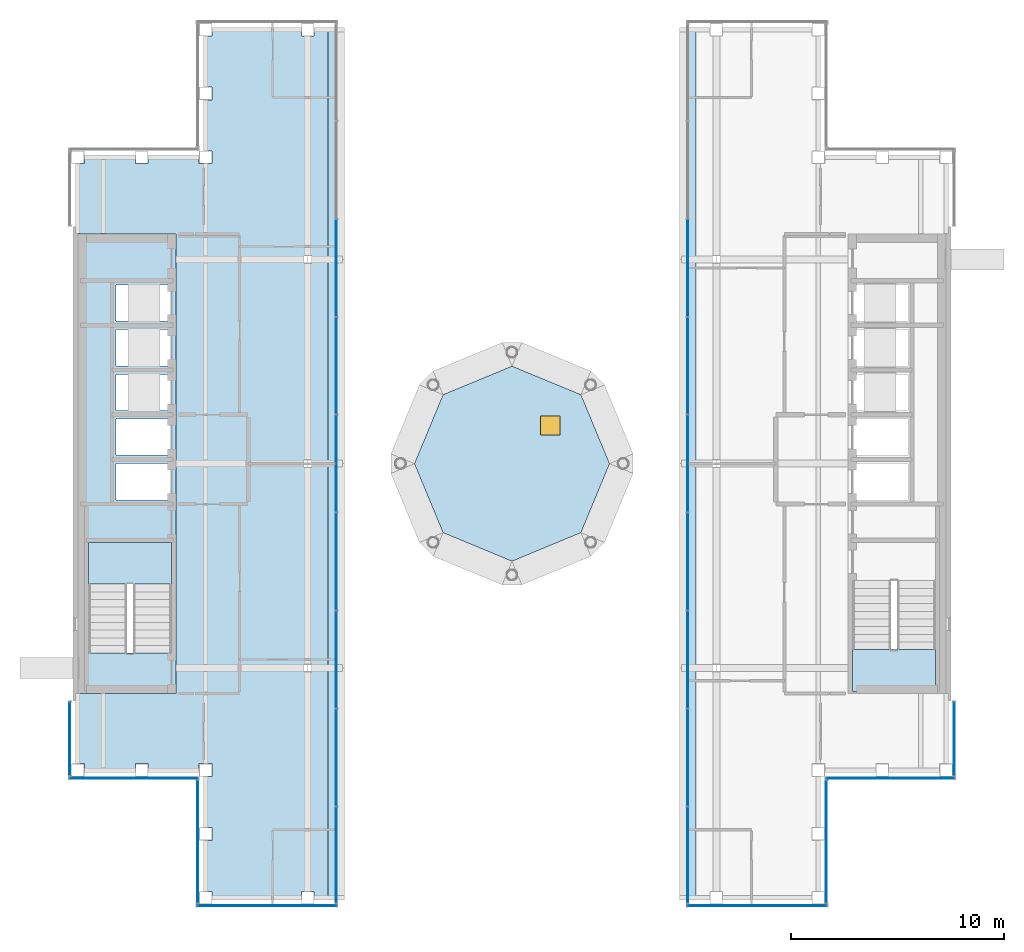
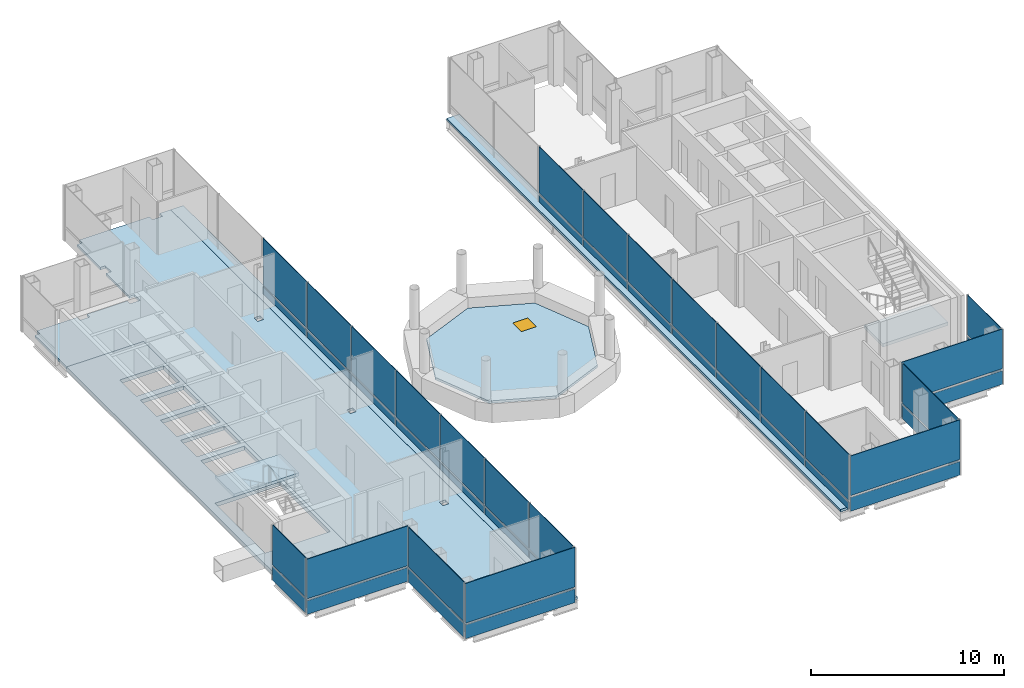
# One storey, part 10 of 16: 44 plates, 7 slabs, 1 window, 1 opening, 12 elements without a shape of their own.
"""IFC4 building model written with IfcOpenShell, lengths in metres."""

from ifc_helpers import new_model, si_unit, direction, frame, origin, origin_2d, place, context, subcontext, project, spatial, polyline, rectangle, outline, extrude, material, layer, layer_set, type_object, element, fill, aggregate, save


model = new_model("IFC4")

# Units and contexts
model_context = context("Model", 3, precision=1e-05, world=origin(), true_north=direction((0.0, 1.0)))
body_context = subcontext(model_context, "Body", "Model", "MODEL_VIEW")
ifc_project = project(units=[si_unit("LENGTHUNIT", "METRE"), si_unit("AREAUNIT", "SQUARE_METRE"), si_unit("VOLUMEUNIT", "CUBIC_METRE"), si_unit("PLANEANGLEUNIT", "RADIAN"), si_unit("MASSUNIT", "GRAM", prefix="KILO")], contexts=[model_context])

# Site, building, storey
site_placement = place(None, origin())
site = spatial("IfcSite", under=ifc_project, at=site_placement, CompositionType="ELEMENT")
building_placement = place(site_placement, origin())
building = spatial("IfcBuilding", under=site, at=building_placement, Name="Cobrizo Arcos Hotel Tower", CompositionType="ELEMENT")
storey_placement = place(building_placement, frame((0.0, 0.0, 272.5)))
storey = spatial("IfcBuildingStorey", under=building, at=storey_placement, Name="L72", CompositionType="ELEMENT", Elevation=272.5)

# Curtain wall, plate
ifc_material_1 = material(Name="Aluminium 6063-T6 anodised bronze", Category="aluminium")
curtain_wall_type_1 = type_object("IfcCurtainWallType", Name="CW-A guest facade", PredefinedType="NOTDEFINED", material=ifc_material_1)
curtain_wall_1_placement = place(storey_placement, origin())
curtain_wall_1 = element("IfcCurtainWall", 1, at=curtain_wall_1_placement, inside=storey, type_object=curtain_wall_type_1, Name="CW-A L72 S face", PredefinedType="NOTDEFINED")
ifc_material_2 = material(Name="Glass clear laminated low-e", Category="glass")
ifc_layer_1 = layer(ifc_material_2, 0.0400390625)
ifc_layer_set_1 = layer_set([ifc_layer_1], Name="CW-A glass panel")
plate_type_1 = type_object("IfcPlateType", Name="CW-A glass panel", PredefinedType="CURTAIN_PANEL", material=ifc_layer_set_1)
plate_1_placement = place(storey_placement, frame((11.517578125, -20.77490234375, 0.990234375), z_axis=(0.0, 0.0, 1.0), x_axis=(1.0, 0.0, 0.0)))
plate_1 = element("IfcPlate", 2, at=plate_1_placement, type_object=plate_type_1, Name="CW-A glass panel 2266", PredefinedType="CURTAIN_PANEL", context=body_context, shape_type="SweptSolid", body=[
    extrude(rectangle(XDim=6.544921875, YDim=0.0400390625, at=origin_2d()), origin(), (0.0, 0.0, 1.0), 2.510009765625),
])

curtain_wall_2_placement = place(storey_placement, origin())
curtain_wall_2 = element("IfcCurtainWall", 3, at=curtain_wall_2_placement, inside=storey, type_object=curtain_wall_type_1, Name="CW-A L72 E face", PredefinedType="NOTDEFINED")
plate_2_placement = place(storey_placement, frame((14.77490234375, -17.77490234375, 0.990234375), z_axis=(0.0, 0.0, 1.0), x_axis=(0.0, 1.0, 0.0)))
plate_2 = element("IfcPlate", 4, at=plate_2_placement, type_object=plate_type_1, Name="CW-A glass panel 2267", PredefinedType="CURTAIN_PANEL", context=body_context, shape_type="SweptSolid", body=[
    extrude(rectangle(XDim=5.72998046875, YDim=0.0400390625, at=origin_2d()), origin(), (0.0, 0.0, 1.0), 2.510009765625),
])

curtain_wall_3_placement = place(storey_placement, origin())
curtain_wall_3 = element("IfcCurtainWall", 5, at=curtain_wall_3_placement, inside=storey, type_object=curtain_wall_type_1, Name="CW-A L72 S face", PredefinedType="NOTDEFINED")
plate_3_placement = place(storey_placement, frame((17.77490234375, -14.77490234375, 0.990234375), z_axis=(0.0, 0.0, 1.0), x_axis=(1.0, 0.0, 0.0)))
plate_3 = element("IfcPlate", 6, at=plate_3_placement, type_object=plate_type_1, Name="CW-A glass panel 2268", PredefinedType="CURTAIN_PANEL", context=body_context, shape_type="SweptSolid", body=[
    extrude(rectangle(XDim=6.030029296875, YDim=0.0400390625, at=origin_2d()), origin(), (0.0, 0.0, 1.0), 2.510009765625),
])

curtain_wall_4_placement = place(storey_placement, origin())
curtain_wall_4 = element("IfcCurtainWall", 7, at=curtain_wall_4_placement, inside=storey, type_object=curtain_wall_type_1, Name="CW-A L72 E face", PredefinedType="NOTDEFINED")
plate_4_placement = place(storey_placement, frame((20.77490234375, -12.925048828125, 0.990234375), z_axis=(0.0, 0.0, 1.0), x_axis=(0.0, 1.0, 0.0)))
plate_4 = element("IfcPlate", 8, at=plate_4_placement, type_object=plate_type_1, Name="CW-A glass panel 2269", PredefinedType="CURTAIN_PANEL", context=body_context, shape_type="SweptSolid", body=[
    extrude(rectangle(XDim=3.429931640625, YDim=0.0400390625, at=origin_2d()), origin(), (0.0, 0.0, 1.0), 2.510009765625),
])

curtain_wall_5_placement = place(storey_placement, origin())
curtain_wall_5 = element("IfcCurtainWall", 9, at=curtain_wall_5_placement, inside=storey, type_object=curtain_wall_type_1, Name="CW-A L72 S face", PredefinedType="NOTDEFINED")
plate_5_placement = place(storey_placement, frame((-11.517578125, -20.77490234375, 0.990234375), z_axis=(0.0, 0.0, 1.0), x_axis=(1.0, 0.0, 0.0)))
plate_5 = element("IfcPlate", 10, at=plate_5_placement, type_object=plate_type_1, Name="CW-A glass panel 2273", PredefinedType="CURTAIN_PANEL", context=body_context, shape_type="SweptSolid", body=[
    extrude(rectangle(XDim=6.544921875, YDim=0.0400390625, at=origin_2d()), origin(), (0.0, 0.0, 1.0), 2.510009765625),
])

curtain_wall_6_placement = place(storey_placement, origin())
curtain_wall_6 = element("IfcCurtainWall", 11, at=curtain_wall_6_placement, inside=storey, type_object=curtain_wall_type_1, Name="CW-A L72 W face", PredefinedType="NOTDEFINED")
plate_6_placement = place(storey_placement, frame((-20.77490234375, -12.925048828125, 0.990234375), z_axis=(0.0, 0.0, 1.0), x_axis=(0.0, -1.0, 0.0)))
plate_6 = element("IfcPlate", 12, at=plate_6_placement, type_object=plate_type_1, Name="CW-A glass panel 2287", PredefinedType="CURTAIN_PANEL", context=body_context, shape_type="SweptSolid", body=[
    extrude(rectangle(XDim=3.429931640625, YDim=0.0400390625, at=origin_2d()), origin(), (0.0, 0.0, 1.0), 2.510009765625),
])

curtain_wall_7_placement = place(storey_placement, origin())
curtain_wall_7 = element("IfcCurtainWall", 13, at=curtain_wall_7_placement, inside=storey, type_object=curtain_wall_type_1, Name="CW-A L72 S face", PredefinedType="NOTDEFINED")
plate_7_placement = place(storey_placement, frame((-17.77490234375, -14.77490234375, 0.990234375), z_axis=(0.0, 0.0, 1.0), x_axis=(1.0, 0.0, 0.0)))
plate_7 = element("IfcPlate", 14, at=plate_7_placement, type_object=plate_type_1, Name="CW-A glass panel 2288", PredefinedType="CURTAIN_PANEL", context=body_context, shape_type="SweptSolid", body=[
    extrude(rectangle(XDim=6.030029296875, YDim=0.0400390625, at=origin_2d()), origin(), (0.0, 0.0, 1.0), 2.510009765625),
])

curtain_wall_8_placement = place(storey_placement, origin())
curtain_wall_8 = element("IfcCurtainWall", 15, at=curtain_wall_8_placement, inside=storey, type_object=curtain_wall_type_1, Name="CW-A L72 W face", PredefinedType="NOTDEFINED")
plate_8_placement = place(storey_placement, frame((-14.77490234375, -17.77490234375, 0.990234375), z_axis=(0.0, 0.0, 1.0), x_axis=(0.0, -1.0, 0.0)))
plate_8 = element("IfcPlate", 16, at=plate_8_placement, type_object=plate_type_1, Name="CW-A glass panel 2289", PredefinedType="CURTAIN_PANEL", context=body_context, shape_type="SweptSolid", body=[
    extrude(rectangle(XDim=5.72998046875, YDim=0.0400390625, at=origin_2d()), origin(), (0.0, 0.0, 1.0), 2.510009765625),
])

# Plate
ifc_material_3 = material(Name="Aluminium composite panel pale metal", Category="aluminium")
ifc_layer_2 = layer(ifc_material_3, 0.0400390625)
ifc_layer_set_2 = layer_set([ifc_layer_2], Name="CW-A spandrel panel")
plate_type_2 = type_object("IfcPlateType", Name="CW-A spandrel panel", PredefinedType="CURTAIN_PANEL", material=ifc_layer_set_2)
plate_9_placement = place(storey_placement, frame((11.517578125, -20.77490234375, 0.0), z_axis=(0.0, 0.0, 1.0), x_axis=(1.0, 0.0, 0.0)))
plate_9 = element("IfcPlate", 17, at=plate_9_placement, type_object=plate_type_2, Name="CW-A spandrel panel 2266", PredefinedType="CURTAIN_PANEL", context=body_context, shape_type="SweptSolid", body=[
    extrude(rectangle(XDim=6.544921875, YDim=0.0400390625, at=origin_2d()), origin(), (0.0, 0.0, 1.0), 0.8701171875),
])

aggregate(curtain_wall_1, [plate_9, plate_1])

plate_10_placement = place(storey_placement, frame((14.77490234375, -17.77490234375, 0.0), z_axis=(0.0, 0.0, 1.0), x_axis=(0.0, 1.0, 0.0)))
plate_10 = element("IfcPlate", 18, at=plate_10_placement, type_object=plate_type_2, Name="CW-A spandrel panel 2267", PredefinedType="CURTAIN_PANEL", context=body_context, shape_type="SweptSolid", body=[
    extrude(rectangle(XDim=5.72998046875, YDim=0.0400390625, at=origin_2d()), origin(), (0.0, 0.0, 1.0), 0.8701171875),
])

aggregate(curtain_wall_2, [plate_10, plate_2])

plate_11_placement = place(storey_placement, frame((17.77490234375, -14.77490234375, 0.0), z_axis=(0.0, 0.0, 1.0), x_axis=(1.0, 0.0, 0.0)))
plate_11 = element("IfcPlate", 19, at=plate_11_placement, type_object=plate_type_2, Name="CW-A spandrel panel 2268", PredefinedType="CURTAIN_PANEL", context=body_context, shape_type="SweptSolid", body=[
    extrude(rectangle(XDim=6.030029296875, YDim=0.0400390625, at=origin_2d()), origin(), (0.0, 0.0, 1.0), 0.8701171875),
])

aggregate(curtain_wall_3, [plate_11, plate_3])

plate_12_placement = place(storey_placement, frame((20.77490234375, -12.925048828125, 0.0), z_axis=(0.0, 0.0, 1.0), x_axis=(0.0, 1.0, 0.0)))
plate_12 = element("IfcPlate", 20, at=plate_12_placement, type_object=plate_type_2, Name="CW-A spandrel panel 2269", PredefinedType="CURTAIN_PANEL", context=body_context, shape_type="SweptSolid", body=[
    extrude(rectangle(XDim=3.429931640625, YDim=0.0400390625, at=origin_2d()), origin(), (0.0, 0.0, 1.0), 0.8701171875),
])

aggregate(curtain_wall_4, [plate_12, plate_4])

plate_13_placement = place(storey_placement, frame((-11.517578125, -20.77490234375, 0.0), z_axis=(0.0, 0.0, 1.0), x_axis=(1.0, 0.0, 0.0)))
plate_13 = element("IfcPlate", 21, at=plate_13_placement, type_object=plate_type_2, Name="CW-A spandrel panel 2273", PredefinedType="CURTAIN_PANEL", context=body_context, shape_type="SweptSolid", body=[
    extrude(rectangle(XDim=6.544921875, YDim=0.0400390625, at=origin_2d()), origin(), (0.0, 0.0, 1.0), 0.8701171875),
])

aggregate(curtain_wall_5, [plate_13, plate_5])

plate_14_placement = place(storey_placement, frame((-20.77490234375, -12.925048828125, 0.0), z_axis=(0.0, 0.0, 1.0), x_axis=(0.0, -1.0, 0.0)))
plate_14 = element("IfcPlate", 22, at=plate_14_placement, type_object=plate_type_2, Name="CW-A spandrel panel 2287", PredefinedType="CURTAIN_PANEL", context=body_context, shape_type="SweptSolid", body=[
    extrude(rectangle(XDim=3.429931640625, YDim=0.0400390625, at=origin_2d()), origin(), (0.0, 0.0, 1.0), 0.8701171875),
])

aggregate(curtain_wall_6, [plate_14, plate_6])

plate_15_placement = place(storey_placement, frame((-17.77490234375, -14.77490234375, 0.0), z_axis=(0.0, 0.0, 1.0), x_axis=(1.0, 0.0, 0.0)))
plate_15 = element("IfcPlate", 23, at=plate_15_placement, type_object=plate_type_2, Name="CW-A spandrel panel 2288", PredefinedType="CURTAIN_PANEL", context=body_context, shape_type="SweptSolid", body=[
    extrude(rectangle(XDim=6.030029296875, YDim=0.0400390625, at=origin_2d()), origin(), (0.0, 0.0, 1.0), 0.8701171875),
])

aggregate(curtain_wall_7, [plate_15, plate_7])

plate_16_placement = place(storey_placement, frame((-14.77490234375, -17.77490234375, 0.0), z_axis=(0.0, 0.0, 1.0), x_axis=(0.0, -1.0, 0.0)))
plate_16 = element("IfcPlate", 24, at=plate_16_placement, type_object=plate_type_2, Name="CW-A spandrel panel 2289", PredefinedType="CURTAIN_PANEL", context=body_context, shape_type="SweptSolid", body=[
    extrude(rectangle(XDim=5.72998046875, YDim=0.0400390625, at=origin_2d()), origin(), (0.0, 0.0, 1.0), 0.8701171875),
])

aggregate(curtain_wall_8, [plate_16, plate_8])

# Curtain wall, plates
curtain_wall_type_2 = type_object("IfcCurtainWallType", Name="CW-C arch infill and crown glazing", PredefinedType="NOTDEFINED", material=ifc_material_1)
curtain_wall_9_placement = place(storey_placement, origin())
curtain_wall_9 = element("IfcCurtainWall", 25, at=curtain_wall_9_placement, inside=storey, type_object=curtain_wall_type_2, Name="CW-C L72 W face", PredefinedType="NOTDEFINED")
ifc_layer_3 = layer(ifc_material_2, 0.0400390625)
ifc_layer_set_3 = layer_set([ifc_layer_3], Name="CW-C glass panel")
plate_type_3 = type_object("IfcPlateType", Name="CW-C glass panel", PredefinedType="CURTAIN_PANEL", material=ifc_layer_set_3)
plate_17_placement = place(storey_placement, frame((8.260009765625, 9.199951171875, 0.0), z_axis=(0.0, 0.0, 1.0), x_axis=(0.0, -1.0, 0.0)))
plate_17 = element("IfcPlate", 26, at=plate_17_placement, type_object=plate_type_3, Name="CW-C glass panel 2259", PredefinedType="CURTAIN_PANEL", context=body_context, shape_type="SweptSolid", body=[
    extrude(rectangle(XDim=4.530029296875, YDim=0.0400390625, at=origin_2d()), origin(), (0.0, 0.0, 1.0), 0.429931640625),
])
plate_18_placement = place(storey_placement, frame((8.260009765625, 9.199951171875, 0.56982421875), z_axis=(0.0, 0.0, 1.0), x_axis=(0.0, -1.0, 0.0)))
plate_18 = element("IfcPlate", 27, at=plate_18_placement, type_object=plate_type_3, Name="CW-C glass panel 2259", PredefinedType="CURTAIN_PANEL", context=body_context, shape_type="SweptSolid", body=[
    extrude(rectangle(XDim=4.530029296875, YDim=0.0400390625, at=origin_2d()), origin(), (0.0, 0.0, 1.0), 2.929931640625),
])
plate_19_placement = place(storey_placement, frame((8.260009765625, 4.60009765625, 0.0), z_axis=(0.0, 0.0, 1.0), x_axis=(0.0, -1.0, 0.0)))
plate_19 = element("IfcPlate", 28, at=plate_19_placement, type_object=plate_type_3, Name="CW-C glass panel 2260", PredefinedType="CURTAIN_PANEL", context=body_context, shape_type="SweptSolid", body=[
    extrude(rectangle(XDim=4.530029296875, YDim=0.0400390625, at=origin_2d()), origin(), (0.0, 0.0, 1.0), 0.429931640625),
])
plate_20_placement = place(storey_placement, frame((8.260009765625, 4.60009765625, 0.56982421875), z_axis=(0.0, 0.0, 1.0), x_axis=(0.0, -1.0, 0.0)))
plate_20 = element("IfcPlate", 29, at=plate_20_placement, type_object=plate_type_3, Name="CW-C glass panel 2260", PredefinedType="CURTAIN_PANEL", context=body_context, shape_type="SweptSolid", body=[
    extrude(rectangle(XDim=4.530029296875, YDim=0.0400390625, at=origin_2d()), origin(), (0.0, 0.0, 1.0), 2.929931640625),
])
plate_21_placement = place(storey_placement, frame((8.260009765625, 0.0, 0.0), z_axis=(0.0, 0.0, 1.0), x_axis=(0.0, -1.0, 0.0)))
plate_21 = element("IfcPlate", 30, at=plate_21_placement, type_object=plate_type_3, Name="CW-C glass panel 2261", PredefinedType="CURTAIN_PANEL", context=body_context, shape_type="SweptSolid", body=[
    extrude(rectangle(XDim=4.530029296875, YDim=0.0400390625, at=origin_2d()), origin(), (0.0, 0.0, 1.0), 0.429931640625),
])
plate_22_placement = place(storey_placement, frame((8.260009765625, 0.0, 0.56982421875), z_axis=(0.0, 0.0, 1.0), x_axis=(0.0, -1.0, 0.0)))
plate_22 = element("IfcPlate", 31, at=plate_22_placement, type_object=plate_type_3, Name="CW-C glass panel 2261", PredefinedType="CURTAIN_PANEL", context=body_context, shape_type="SweptSolid", body=[
    extrude(rectangle(XDim=4.530029296875, YDim=0.0400390625, at=origin_2d()), origin(), (0.0, 0.0, 1.0), 2.929931640625),
])
plate_23_placement = place(storey_placement, frame((8.260009765625, -4.60009765625, 0.0), z_axis=(0.0, 0.0, 1.0), x_axis=(0.0, -1.0, 0.0)))
plate_23 = element("IfcPlate", 32, at=plate_23_placement, type_object=plate_type_3, Name="CW-C glass panel 2262", PredefinedType="CURTAIN_PANEL", context=body_context, shape_type="SweptSolid", body=[
    extrude(rectangle(XDim=4.530029296875, YDim=0.0400390625, at=origin_2d()), origin(), (0.0, 0.0, 1.0), 0.429931640625),
])
plate_24_placement = place(storey_placement, frame((8.260009765625, -4.60009765625, 0.56982421875), z_axis=(0.0, 0.0, 1.0), x_axis=(0.0, -1.0, 0.0)))
plate_24 = element("IfcPlate", 33, at=plate_24_placement, type_object=plate_type_3, Name="CW-C glass panel 2262", PredefinedType="CURTAIN_PANEL", context=body_context, shape_type="SweptSolid", body=[
    extrude(rectangle(XDim=4.530029296875, YDim=0.0400390625, at=origin_2d()), origin(), (0.0, 0.0, 1.0), 2.929931640625),
])
plate_25_placement = place(storey_placement, frame((8.260009765625, -9.199951171875, 0.0), z_axis=(0.0, 0.0, 1.0), x_axis=(0.0, -1.0, 0.0)))
plate_25 = element("IfcPlate", 34, at=plate_25_placement, type_object=plate_type_3, Name="CW-C glass panel 2263", PredefinedType="CURTAIN_PANEL", context=body_context, shape_type="SweptSolid", body=[
    extrude(rectangle(XDim=4.530029296875, YDim=0.0400390625, at=origin_2d()), origin(), (0.0, 0.0, 1.0), 0.429931640625),
])
plate_26_placement = place(storey_placement, frame((8.260009765625, -9.199951171875, 0.56982421875), z_axis=(0.0, 0.0, 1.0), x_axis=(0.0, -1.0, 0.0)))
plate_26 = element("IfcPlate", 35, at=plate_26_placement, type_object=plate_type_3, Name="CW-C glass panel 2263", PredefinedType="CURTAIN_PANEL", context=body_context, shape_type="SweptSolid", body=[
    extrude(rectangle(XDim=4.530029296875, YDim=0.0400390625, at=origin_2d()), origin(), (0.0, 0.0, 1.0), 2.929931640625),
])
plate_27_placement = place(storey_placement, frame((8.260009765625, -13.800048828125, 0.0), z_axis=(0.0, 0.0, 1.0), x_axis=(0.0, -1.0, 0.0)))
plate_27 = element("IfcPlate", 36, at=plate_27_placement, type_object=plate_type_3, Name="CW-C glass panel 2264", PredefinedType="CURTAIN_PANEL", context=body_context, shape_type="SweptSolid", body=[
    extrude(rectangle(XDim=4.530029296875, YDim=0.0400390625, at=origin_2d()), origin(), (0.0, 0.0, 1.0), 0.429931640625),
])
plate_28_placement = place(storey_placement, frame((8.260009765625, -13.800048828125, 0.56982421875), z_axis=(0.0, 0.0, 1.0), x_axis=(0.0, -1.0, 0.0)))
plate_28 = element("IfcPlate", 37, at=plate_28_placement, type_object=plate_type_3, Name="CW-C glass panel 2264", PredefinedType="CURTAIN_PANEL", context=body_context, shape_type="SweptSolid", body=[
    extrude(rectangle(XDim=4.530029296875, YDim=0.0400390625, at=origin_2d()), origin(), (0.0, 0.0, 1.0), 2.929931640625),
])
plate_29_placement = place(storey_placement, frame((8.260009765625, -18.382568359375, 0.0), z_axis=(0.0, 0.0, 1.0), x_axis=(0.0, -1.0, 0.0)))
plate_29 = element("IfcPlate", 38, at=plate_29_placement, type_object=plate_type_3, Name="CW-C glass panel 2265", PredefinedType="CURTAIN_PANEL", context=body_context, shape_type="SweptSolid", body=[
    extrude(rectangle(XDim=4.4951171875, YDim=0.0400390625, at=origin_2d()), origin(), (0.0, 0.0, 1.0), 0.429931640625),
])
plate_30_placement = place(storey_placement, frame((8.260009765625, -18.382568359375, 0.56982421875), z_axis=(0.0, 0.0, 1.0), x_axis=(0.0, -1.0, 0.0)))
plate_30 = element("IfcPlate", 39, at=plate_30_placement, type_object=plate_type_3, Name="CW-C glass panel 2265", PredefinedType="CURTAIN_PANEL", context=body_context, shape_type="SweptSolid", body=[
    extrude(rectangle(XDim=4.4951171875, YDim=0.0400390625, at=origin_2d()), origin(), (0.0, 0.0, 1.0), 2.929931640625),
])
aggregate(curtain_wall_9, [plate_17, plate_18, plate_19, plate_20, plate_21, plate_22, plate_23, plate_24, plate_25, plate_26, plate_27, plate_28, plate_29, plate_30])

curtain_wall_10_placement = place(storey_placement, origin())
curtain_wall_10 = element("IfcCurtainWall", 40, at=curtain_wall_10_placement, inside=storey, type_object=curtain_wall_type_2, Name="CW-C L72 E face", PredefinedType="NOTDEFINED")
plate_31_placement = place(storey_placement, frame((-8.260009765625, -18.382568359375, 0.0), z_axis=(0.0, 0.0, 1.0), x_axis=(0.0, 1.0, 0.0)))
plate_31 = element("IfcPlate", 41, at=plate_31_placement, type_object=plate_type_3, Name="CW-C glass panel 2274", PredefinedType="CURTAIN_PANEL", context=body_context, shape_type="SweptSolid", body=[
    extrude(rectangle(XDim=4.4951171875, YDim=0.0400390625, at=origin_2d()), origin(), (0.0, 0.0, 1.0), 0.429931640625),
])
plate_32_placement = place(storey_placement, frame((-8.260009765625, -18.382568359375, 0.56982421875), z_axis=(0.0, 0.0, 1.0), x_axis=(0.0, 1.0, 0.0)))
plate_32 = element("IfcPlate", 42, at=plate_32_placement, type_object=plate_type_3, Name="CW-C glass panel 2274", PredefinedType="CURTAIN_PANEL", context=body_context, shape_type="SweptSolid", body=[
    extrude(rectangle(XDim=4.4951171875, YDim=0.0400390625, at=origin_2d()), origin(), (0.0, 0.0, 1.0), 2.929931640625),
])
plate_33_placement = place(storey_placement, frame((-8.260009765625, -13.800048828125, 0.0), z_axis=(0.0, 0.0, 1.0), x_axis=(0.0, 1.0, 0.0)))
plate_33 = element("IfcPlate", 43, at=plate_33_placement, type_object=plate_type_3, Name="CW-C glass panel 2275", PredefinedType="CURTAIN_PANEL", context=body_context, shape_type="SweptSolid", body=[
    extrude(rectangle(XDim=4.530029296875, YDim=0.0400390625, at=origin_2d()), origin(), (0.0, 0.0, 1.0), 0.429931640625),
])
plate_34_placement = place(storey_placement, frame((-8.260009765625, -13.800048828125, 0.56982421875), z_axis=(0.0, 0.0, 1.0), x_axis=(0.0, 1.0, 0.0)))
plate_34 = element("IfcPlate", 44, at=plate_34_placement, type_object=plate_type_3, Name="CW-C glass panel 2275", PredefinedType="CURTAIN_PANEL", context=body_context, shape_type="SweptSolid", body=[
    extrude(rectangle(XDim=4.530029296875, YDim=0.0400390625, at=origin_2d()), origin(), (0.0, 0.0, 1.0), 2.929931640625),
])
plate_35_placement = place(storey_placement, frame((-8.260009765625, -9.199951171875, 0.0), z_axis=(0.0, 0.0, 1.0), x_axis=(0.0, 1.0, 0.0)))
plate_35 = element("IfcPlate", 45, at=plate_35_placement, type_object=plate_type_3, Name="CW-C glass panel 2276", PredefinedType="CURTAIN_PANEL", context=body_context, shape_type="SweptSolid", body=[
    extrude(rectangle(XDim=4.530029296875, YDim=0.0400390625, at=origin_2d()), origin(), (0.0, 0.0, 1.0), 0.429931640625),
])
plate_36_placement = place(storey_placement, frame((-8.260009765625, -9.199951171875, 0.56982421875), z_axis=(0.0, 0.0, 1.0), x_axis=(0.0, 1.0, 0.0)))
plate_36 = element("IfcPlate", 46, at=plate_36_placement, type_object=plate_type_3, Name="CW-C glass panel 2276", PredefinedType="CURTAIN_PANEL", context=body_context, shape_type="SweptSolid", body=[
    extrude(rectangle(XDim=4.530029296875, YDim=0.0400390625, at=origin_2d()), origin(), (0.0, 0.0, 1.0), 2.929931640625),
])
plate_37_placement = place(storey_placement, frame((-8.260009765625, -4.60009765625, 0.0), z_axis=(0.0, 0.0, 1.0), x_axis=(0.0, 1.0, 0.0)))
plate_37 = element("IfcPlate", 47, at=plate_37_placement, type_object=plate_type_3, Name="CW-C glass panel 2277", PredefinedType="CURTAIN_PANEL", context=body_context, shape_type="SweptSolid", body=[
    extrude(rectangle(XDim=4.530029296875, YDim=0.0400390625, at=origin_2d()), origin(), (0.0, 0.0, 1.0), 0.429931640625),
])
plate_38_placement = place(storey_placement, frame((-8.260009765625, -4.60009765625, 0.56982421875), z_axis=(0.0, 0.0, 1.0), x_axis=(0.0, 1.0, 0.0)))
plate_38 = element("IfcPlate", 48, at=plate_38_placement, type_object=plate_type_3, Name="CW-C glass panel 2277", PredefinedType="CURTAIN_PANEL", context=body_context, shape_type="SweptSolid", body=[
    extrude(rectangle(XDim=4.530029296875, YDim=0.0400390625, at=origin_2d()), origin(), (0.0, 0.0, 1.0), 2.929931640625),
])
plate_39_placement = place(storey_placement, frame((-8.260009765625, 0.0, 0.0), z_axis=(0.0, 0.0, 1.0), x_axis=(0.0, 1.0, 0.0)))
plate_39 = element("IfcPlate", 49, at=plate_39_placement, type_object=plate_type_3, Name="CW-C glass panel 2278", PredefinedType="CURTAIN_PANEL", context=body_context, shape_type="SweptSolid", body=[
    extrude(rectangle(XDim=4.530029296875, YDim=0.0400390625, at=origin_2d()), origin(), (0.0, 0.0, 1.0), 0.429931640625),
])
plate_40_placement = place(storey_placement, frame((-8.260009765625, 0.0, 0.56982421875), z_axis=(0.0, 0.0, 1.0), x_axis=(0.0, 1.0, 0.0)))
plate_40 = element("IfcPlate", 50, at=plate_40_placement, type_object=plate_type_3, Name="CW-C glass panel 2278", PredefinedType="CURTAIN_PANEL", context=body_context, shape_type="SweptSolid", body=[
    extrude(rectangle(XDim=4.530029296875, YDim=0.0400390625, at=origin_2d()), origin(), (0.0, 0.0, 1.0), 2.929931640625),
])
plate_41_placement = place(storey_placement, frame((-8.260009765625, 4.60009765625, 0.0), z_axis=(0.0, 0.0, 1.0), x_axis=(0.0, 1.0, 0.0)))
plate_41 = element("IfcPlate", 51, at=plate_41_placement, type_object=plate_type_3, Name="CW-C glass panel 2279", PredefinedType="CURTAIN_PANEL", context=body_context, shape_type="SweptSolid", body=[
    extrude(rectangle(XDim=4.530029296875, YDim=0.0400390625, at=origin_2d()), origin(), (0.0, 0.0, 1.0), 0.429931640625),
])
plate_42_placement = place(storey_placement, frame((-8.260009765625, 4.60009765625, 0.56982421875), z_axis=(0.0, 0.0, 1.0), x_axis=(0.0, 1.0, 0.0)))
plate_42 = element("IfcPlate", 52, at=plate_42_placement, type_object=plate_type_3, Name="CW-C glass panel 2279", PredefinedType="CURTAIN_PANEL", context=body_context, shape_type="SweptSolid", body=[
    extrude(rectangle(XDim=4.530029296875, YDim=0.0400390625, at=origin_2d()), origin(), (0.0, 0.0, 1.0), 2.929931640625),
])
plate_43_placement = place(storey_placement, frame((-8.260009765625, 9.199951171875, 0.0), z_axis=(0.0, 0.0, 1.0), x_axis=(0.0, 1.0, 0.0)))
plate_43 = element("IfcPlate", 53, at=plate_43_placement, type_object=plate_type_3, Name="CW-C glass panel 2280", PredefinedType="CURTAIN_PANEL", context=body_context, shape_type="SweptSolid", body=[
    extrude(rectangle(XDim=4.530029296875, YDim=0.0400390625, at=origin_2d()), origin(), (0.0, 0.0, 1.0), 0.429931640625),
])
plate_44_placement = place(storey_placement, frame((-8.260009765625, 9.199951171875, 0.56982421875), z_axis=(0.0, 0.0, 1.0), x_axis=(0.0, 1.0, 0.0)))
plate_44 = element("IfcPlate", 54, at=plate_44_placement, type_object=plate_type_3, Name="CW-C glass panel 2280", PredefinedType="CURTAIN_PANEL", context=body_context, shape_type="SweptSolid", body=[
    extrude(rectangle(XDim=4.530029296875, YDim=0.0400390625, at=origin_2d()), origin(), (0.0, 0.0, 1.0), 2.929931640625),
])
aggregate(curtain_wall_10, [plate_31, plate_32, plate_33, plate_34, plate_35, plate_36, plate_37, plate_38, plate_39, plate_40, plate_41, plate_42, plate_43, plate_44])

# Slab
ifc_material_4 = material(Name="Concrete f'c 35 MPa", Category="concrete")
ifc_layer_4 = layer(ifc_material_4, 0.14990234375)
ifc_layer_set_4 = layer_set([ifc_layer_4], Name="Composite floor slab 150 f'c 35")
slab_type_1 = type_object("IfcSlabType", Name="Composite floor slab 150 f'c 35", PredefinedType="FLOOR", material=ifc_layer_set_4)
slab_1_placement = place(storey_placement, frame((0.0, 0.0, -0.14990234375)))
element("IfcSlab", 55, at=slab_1_placement, inside=storey, type_object=slab_type_1, Name="Floor slab S5, L72, no. 01", PredefinedType="FLOOR", context=body_context, shape_type="SweptSolid", body=[
    extrude(outline(polyline([(-14.39990234375, -17.699951171875), (-14.10009765625, -17.699951171875), (-14.10009765625, -17.10009765625), (-14.39990234375, -17.10009765625), (-14.39990234375, -14.699951171875), (-14.10009765625, -14.699951171875), (-14.10009765625, -14.10009765625), (-14.699951171875, -14.10009765625), (-14.699951171875, -14.39990234375), (-17.10009765625, -14.39990234375), (-17.10009765625, -14.10009765625), (-17.699951171875, -14.10009765625), (-17.699951171875, -14.39990234375), (-20.10009765625, -14.39990234375), (-20.10009765625, -14.10009765625), (-20.39990234375, -14.10009765625), (-20.39990234375, -10.800048828125), (-15.800048828125, -10.800048828125), (-15.800048828125, 10.800048828125), (-20.39990234375, 10.800048828125), (-20.39990234375, 14.10009765625), (-20.10009765625, 14.10009765625), (-20.10009765625, 14.39990234375), (-17.699951171875, 14.39990234375), (-17.699951171875, 14.10009765625), (-17.10009765625, 14.10009765625), (-17.10009765625, 14.39990234375), (-14.699951171875, 14.39990234375), (-14.699951171875, 14.10009765625), (-14.10009765625, 14.10009765625), (-14.10009765625, 14.699951171875), (-14.39990234375, 14.699951171875), (-14.39990234375, 17.10009765625), (-14.10009765625, 17.10009765625), (-14.10009765625, 17.699951171875), (-14.39990234375, 17.699951171875), (-14.39990234375, 20.10009765625), (-14.10009765625, 20.10009765625), (-14.10009765625, 20.39990234375), (-9.89990234375, 20.39990234375), (-9.89990234375, 20.10009765625), (-9.300048828125, 20.10009765625), (-9.300048828125, 20.39990234375), (-8.635009765625, 20.39990234375), (-8.635009765625, -20.39990234375), (-9.300048828125, -20.39990234375), (-9.300048828125, -20.10009765625), (-9.89990234375, -20.10009765625), (-9.89990234375, -20.39990234375), (-14.10009765625, -20.39990234375), (-14.10009765625, -20.10009765625), (-14.39990234375, -20.10009765625), (-14.39990234375, -17.699951171875)]), holes=[polyline([(-9.415771484375, -9.7841796875), (-9.415771484375, -9.415771484375), (-9.7841796875, -9.415771484375), (-9.7841796875, -9.7841796875), (-9.415771484375, -9.7841796875)]), polyline([(-9.415771484375, -0.18408203125), (-9.415771484375, 0.18408203125), (-9.7841796875, 0.18408203125), (-9.7841796875, -0.18408203125), (-9.415771484375, -0.18408203125)]), polyline([(-9.415771484375, 9.415771484375), (-9.415771484375, 9.7841796875), (-9.7841796875, 9.7841796875), (-9.7841796875, 9.415771484375), (-9.415771484375, 9.415771484375)])]), origin(), (0.0, 0.0, 1.0), 0.14990234375),
])

# Slab, opening, window
ifc_layer_5 = layer(ifc_material_4, 0.14990234375)
ifc_layer_set_5 = layer_set([ifc_layer_5], Name="Drum roof slab 150 f'c 35")
slab_type_2 = type_object("IfcSlabType", Name="Drum roof slab 150 f'c 35", PredefinedType="ROOF", material=ifc_layer_set_5)
slab_2_placement = place(storey_placement, frame((0.0, 0.0, 0.199951171875)))
slab_2 = element("IfcSlab", 56, at=slab_2_placement, inside=storey, type_object=slab_type_2, Name="Drum roof slab DR-1", PredefinedType="ROOF", context=body_context, shape_type="SweptSolid", body=[
    extrude(outline(polyline([(4.583251953125, 0.0), (3.24072265625, 3.24072265625), (0.0, 4.583251953125), (-3.24072265625, 3.24072265625), (-4.583251953125, 0.0), (-3.24072265625, -3.24072265625), (0.0, -4.583251953125), (3.24072265625, -3.24072265625), (4.583251953125, 0.0)])), origin(), (0.0, 0.0, 1.0), 0.150146484375),
])
opening_placement = place(slab_2_placement, frame((1.800048828125, 1.800048828125, 0.0)))
opening = element("IfcOpeningElement", 57, at=opening_placement, cuts=slab_2, Name="Opening RH2", PredefinedType="OPENING", context=body_context, shape_type="SweptSolid", body=[
    extrude(rectangle(XDim=0.89990234375, YDim=0.89990234375, at=origin_2d()), frame((0.0, 0.0, -0.011962890625)), (0.0, 0.0, 1.0), 0.174072265625),
])
ifc_material_5 = material(Name="Steel and glass", Category="steel")
window_type = type_object("IfcWindowType", Name="RH2 roof hatch 900x900", PartitioningType="SINGLE_PANEL", PredefinedType="SKYLIGHT", material=ifc_material_5)
window_placement = place(opening_placement, frame((0.0, 0.0, 0.10009765625)))
window = element("IfcWindow", 58, at=window_placement, inside=storey, type_object=window_type, Name="Roof hatch RH2", OverallHeight=0.89990234375, OverallWidth=0.89990234375, PartitioningType="SINGLE_PANEL", PredefinedType="SKYLIGHT", context=body_context, shape_type="SweptSolid", body=[
    extrude(rectangle(XDim=0.89990234375, YDim=0.89990234375, at=origin_2d()), origin(), (0.0, 0.0, 1.0), 0.050048828125),
])
fill(opening, window)

# Slabs
ifc_material_6 = material(Name="Concrete f'c 40 MPa", Category="concrete")
ifc_layer_6 = layer(ifc_material_6, 0.25)
ifc_layer_set_6 = layer_set([ifc_layer_6], Name="RC core floor slab 250 f'c 40")
slab_type_3 = type_object("IfcSlabType", Name="RC core floor slab 250 f'c 40", PredefinedType="FLOOR", material=ifc_layer_set_6)
slab_3_placement = place(storey_placement, frame((0.0, 0.0, -0.25)))
element("IfcSlab", 59, at=slab_3_placement, inside=storey, type_object=slab_type_3, Name="Core floor slab CS7, west core, L72", PredefinedType="FLOOR", context=body_context, shape_type="SweptSolid", body=[
    extrude(outline(polyline([(-20.39990234375, 10.800048828125), (-15.800048828125, 10.800048828125), (-15.800048828125, -10.800048828125), (-20.39990234375, -10.800048828125), (-20.39990234375, 10.800048828125)]), holes=[polyline([(-19.89794921875, -3.701904296875), (-19.89794921875, -8.89794921875), (-16.001953125, -8.89794921875), (-16.001953125, -3.701904296875), (-19.89794921875, -3.701904296875)]), polyline([(-18.60009765625, 0.0), (-18.60009765625, -1.699951171875), (-16.0, -1.699951171875), (-16.0, 0.0), (-18.60009765625, 0.0)]), polyline([(-18.60009765625, 2.10009765625), (-18.60009765625, 0.39990234375), (-16.0, 0.39990234375), (-16.0, 2.10009765625), (-18.60009765625, 2.10009765625)]), polyline([(-18.60009765625, 4.199951171875), (-18.60009765625, 2.5), (-16.0, 2.5), (-16.0, 4.199951171875), (-18.60009765625, 4.199951171875)]), polyline([(-16.0, 6.300048828125), (-18.60009765625, 6.300048828125), (-18.60009765625, 4.60009765625), (-16.0, 4.60009765625), (-16.0, 6.300048828125)]), polyline([(-16.0, 8.39990234375), (-18.60009765625, 8.39990234375), (-18.60009765625, 6.699951171875), (-16.0, 6.699951171875), (-16.0, 8.39990234375)])]), origin(), (0.0, 0.0, 1.0), 0.25),
])
ifc_layer_7 = layer(ifc_material_4, 0.14990234375)
ifc_layer_set_7 = layer_set([ifc_layer_7], Name="RC roof slab 150 f'c 35")
slab_type_4 = type_object("IfcSlabType", Name="RC roof slab 150 f'c 35", PredefinedType="ROOF", material=ifc_layer_set_7)
slab_4_placement = place(storey_placement, frame((0.0, 0.0, -0.14990234375)))
element("IfcSlab", 60, at=slab_4_placement, inside=storey, type_object=slab_type_4, Name="Roof slab RS5, L72, no. 01", PredefinedType="ROOF", context=body_context, shape_type="SweptSolid", body=[
    extrude(outline(polyline([(-8.635009765625, -20.39990234375), (-8.635009765625, 20.39990234375), (-7.8720703125, 20.39990234375), (-7.8720703125, -20.39990234375), (-8.635009765625, -20.39990234375)])), origin(), (0.0, 0.0, 1.0), 0.14990234375),
])
slab_5_placement = place(storey_placement, frame((0.0, 0.0, -0.14990234375)))
element("IfcSlab", 61, at=slab_5_placement, inside=storey, type_object=slab_type_4, Name="Roof slab RS5, L72, no. 02", PredefinedType="ROOF", context=body_context, shape_type="SweptSolid", body=[
    extrude(outline(polyline([(8.635009765625, 20.39990234375), (8.635009765625, -20.39990234375), (7.8720703125, -20.39990234375), (7.8720703125, 20.39990234375), (8.635009765625, 20.39990234375)])), origin(), (0.0, 0.0, 1.0), 0.14990234375),
])

# Stair, slab
stair_type = type_object("IfcStairType", Name="Exit stair", PredefinedType="HALF_TURN_STAIR", material=ifc_material_6)
stair_1_placement = place(storey_placement, origin())
stair_1 = element("IfcStair", 62, at=stair_1_placement, inside=storey, type_object=stair_type, Name="L72 Exit stair ST-W", PredefinedType="HALF_TURN_STAIR")
ifc_layer_8 = layer(ifc_material_6, 0.199951171875)
ifc_layer_set_8 = layer_set([ifc_layer_8], Name="Stair landing")
slab_type_5 = type_object("IfcSlabType", Name="Stair landing", PredefinedType="LANDING", material=ifc_layer_set_8)
slab_6_placement = place(storey_placement, frame((0.0, 0.0, 1.550048828125)))
slab_6 = element("IfcSlab", 63, at=slab_6_placement, type_object=slab_type_5, Name="ST-W landing 1", PredefinedType="LANDING", context=body_context, shape_type="SweptSolid", body=[
    extrude(outline(polyline([(-16.0, -5.659912109375), (-16.0, -3.699951171875), (-19.89990234375, -3.699951171875), (-19.89990234375, -5.659912109375), (-16.0, -5.659912109375)])), origin(), (0.0, 0.0, 1.0), 0.199951171875),
])
aggregate(stair_1, [slab_6])

stair_2_placement = place(storey_placement, origin())
stair_2 = element("IfcStair", 64, at=stair_2_placement, inside=storey, type_object=stair_type, Name="L72 Exit stair ST-E", PredefinedType="HALF_TURN_STAIR")
slab_7_placement = place(storey_placement, frame((0.0, 0.0, 1.550048828125)))
slab_7 = element("IfcSlab", 65, at=slab_7_placement, type_object=slab_type_5, Name="ST-E landing 1", PredefinedType="LANDING", context=body_context, shape_type="SweptSolid", body=[
    extrude(outline(polyline([(16.0, -8.739990234375), (16.0, -10.699951171875), (19.89990234375, -10.699951171875), (19.89990234375, -8.739990234375), (16.0, -8.739990234375)])), origin(), (0.0, 0.0, 1.0), 0.199951171875),
])
aggregate(stair_2, [slab_7])

save(model, "model.ifc")
